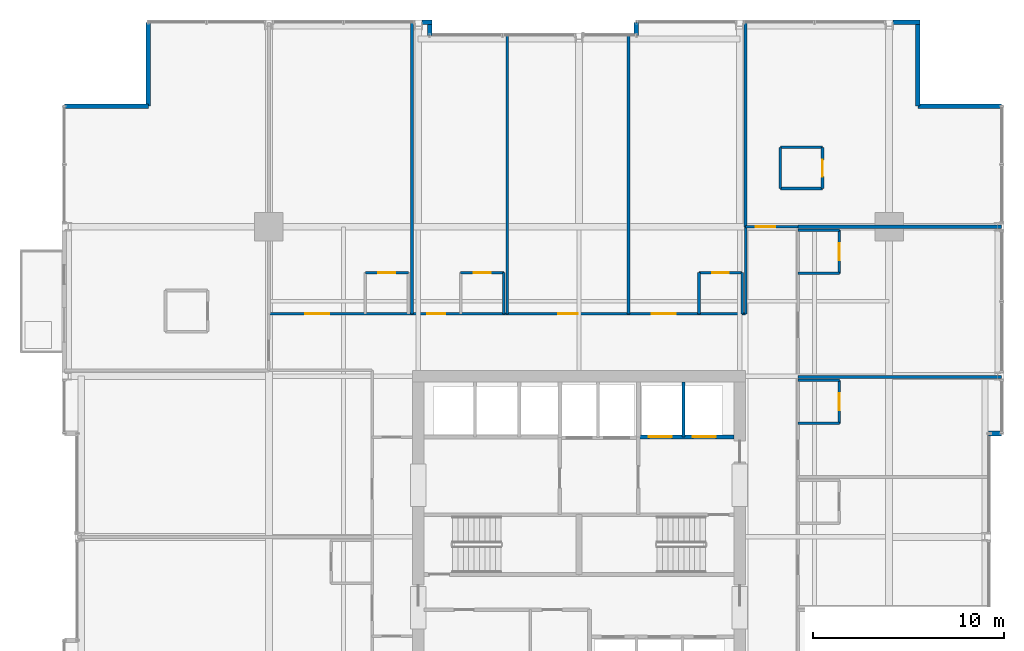
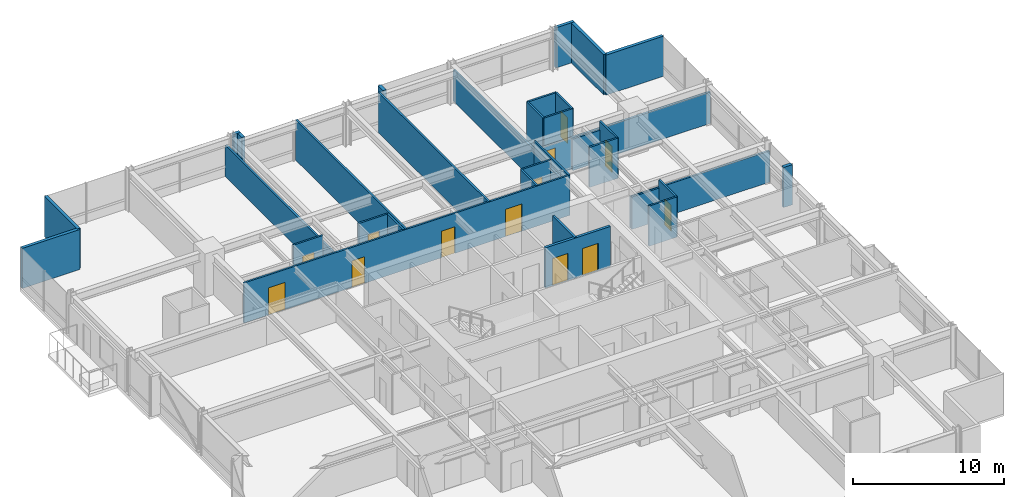
# One storey, part 31 of 35: 36 walls, 13 doors, 13 openings.
"""IFC4 building model written with IfcOpenShell, lengths in metres."""

import ifcopenshell
import ifcopenshell.guid

model = None  # the IFC model being written
_history = None  # IfcOwnerHistory: only IFC2X3 demands one
_inside = {}  # id of a spatial element -> (the spatial element, [elements in it])
_under = {}  # id of a project, library or spatial element -> (it, [spatial elements below it])
_declared = {}  # id of a project -> (the project, [libraries it declares])
_typed = {}  # id of a type object -> (the type object, [elements of that type])
_made_of = {}  # id of a material, layer set ... -> (it, [elements and type objects made of it])


def new_model(schema):
    """Start an empty IFC model of exactly this schema.

    Asked for "IFC4X3", IfcOpenShell would pick the latest addendum, in which some entities
    have other attributes; the version numbers below select the first issue.
    IFC2X3 requires an IfcOwnerHistory on every rooted entity: one is made here for all.
    """
    global model, _history
    if schema == "IFC4X3":
        model = ifcopenshell.file(schema_version=(4, 3, 0, 0))
    else:
        model = ifcopenshell.file(schema=schema)
    _inside.clear()
    _under.clear()
    _declared.clear()
    _typed.clear()
    _made_of.clear()
    _history = None
    if model.schema == "IFC2X3":
        org = make("IfcOrganization", Name="unknown")
        user = make(
            "IfcPersonAndOrganization",
            ThePerson=make("IfcPerson", FamilyName="unknown"),
            TheOrganization=org,
        )
        app = make(
            "IfcApplication",
            ApplicationDeveloper=org,
            Version="unknown",
            ApplicationFullName="unknown",
            ApplicationIdentifier="unknown",
        )
        _history = make(
            "IfcOwnerHistory",
            OwningUser=user,
            OwningApplication=app,
            ChangeAction="ADDED",
            CreationDate=0,
        )
    return model


def make(cls, **values):
    """One entity of the class cls with the attributes given. An attribute that is None is left unset."""
    return model.create_entity(
        cls, **{name: value for name, value in values.items() if value is not None}
    )


def rooted(cls, **values):
    """An entity with a GlobalId (a new one), such as an element, a storey or a relation."""
    return make(cls, GlobalId=ifcopenshell.guid.new(), OwnerHistory=_history, **values)


def si_unit(unit_type, name, prefix=None):
    """IfcSIUnit, for example si_unit("LENGTHUNIT", "METRE", prefix="MILLI")."""
    return make("IfcSIUnit", UnitType=unit_type, Prefix=prefix, Name=name)


def assignment(units):
    """IfcUnitAssignment: the units of a project."""
    return None if units is None else make("IfcUnitAssignment", Units=units)


def point(xyz):
    """IfcCartesianPoint."""
    return None if xyz is None else make("IfcCartesianPoint", Coordinates=xyz)


def direction(xyz):
    """IfcDirection."""
    return None if xyz is None else make("IfcDirection", DirectionRatios=xyz)


def frame(location, z_axis=None, x_axis=None):
    """IfcAxis2Placement3D, a coordinate frame: its origin and axes. An axis left out is left unset."""
    return make(
        "IfcAxis2Placement3D",
        Location=point(location),
        Axis=direction(z_axis),
        RefDirection=direction(x_axis),
    )


def frame_2d(location, x_axis=None):
    """IfcAxis2Placement2D, a coordinate frame in the plane: its origin and x axis."""
    return make(
        "IfcAxis2Placement2D", Location=point(location), RefDirection=direction(x_axis)
    )


def origin():
    """The frame at (0, 0, 0) with its axes left unset."""
    return frame((0.0, 0.0, 0.0))


def place(relative_to, where):
    """IfcLocalPlacement: puts the frame where relative to a parent placement (None: the world)."""
    return make(
        "IfcLocalPlacement", PlacementRelTo=relative_to, RelativePlacement=where
    )


def context(
    kind, dimensions, precision=None, world=None, true_north=None, identifier=None
):
    """IfcGeometricRepresentationContext, for example the 3D "Model" context."""
    return make(
        "IfcGeometricRepresentationContext",
        ContextIdentifier=identifier,
        ContextType=kind,
        CoordinateSpaceDimension=dimensions,
        Precision=precision,
        WorldCoordinateSystem=world,
        TrueNorth=true_north,
    )


def subcontext(parent, identifier, kind, view, scale=None):
    """IfcGeometricRepresentationSubContext, for example "Body" below "Model"."""
    return make(
        "IfcGeometricRepresentationSubContext",
        ContextIdentifier=identifier,
        ContextType=kind,
        ParentContext=parent,
        TargetScale=scale,
        TargetView=view,
    )


def project(units=None, contexts=None):
    """IfcProject with its units and contexts."""
    return rooted(
        "IfcProject",
        Name="project",
        RepresentationContexts=contexts,
        UnitsInContext=assignment(units),
    )


def spatial(cls, under=None, at=None, **own):
    """A site, building, storey or space (cls), placed at a placement, below another one or the project."""
    s = rooted(cls, ObjectPlacement=at, **own)
    if under is not None:
        _under.setdefault(under.id(), (under, []))[1].append(s)
    return s


def profile(cls, at=None, kind="AREA", **sizes):
    """A parametric profile (cls). Its sizes go by their IFC names, for example OverallWidth=200.0."""
    return make(cls, ProfileType=kind, Position=at, **sizes)


def rectangle(**sizes):
    """IfcRectangleProfileDef."""
    return profile("IfcRectangleProfileDef", **sizes)


def extrude(swept, where, along, depth):
    """IfcExtrudedAreaSolid: the profile swept, set in the frame where, extruded along a direction by depth."""
    return make(
        "IfcExtrudedAreaSolid",
        SweptArea=swept,
        Position=where,
        ExtrudedDirection=direction(along),
        Depth=depth,
    )


def shape(context_of_items, identifier, shape_type, items):
    """IfcShapeRepresentation: the items that make up one representation, for example the "Body"."""
    return make(
        "IfcShapeRepresentation",
        ContextOfItems=context_of_items,
        RepresentationIdentifier=identifier,
        RepresentationType=shape_type,
        Items=items,
    )


def material(Name=None, Category=None):
    """IfcMaterial."""
    return make("IfcMaterial", Name=Name, Category=Category)


def layer(
    of_material, thickness, ventilated=None, Name=None, Category=None, Priority=None
):
    """IfcMaterialLayer: one layer of a wall or slab, of a material (None: an air gap)."""
    return make(
        "IfcMaterialLayer",
        Material=of_material,
        LayerThickness=thickness,
        IsVentilated=ventilated,
        Name=Name,
        Category=Category,
        Priority=Priority,
    )


def layer_set(layers, Name=None):
    """IfcMaterialLayerSet."""
    return make("IfcMaterialLayerSet", MaterialLayers=layers, LayerSetName=Name)


def made_of(thing, what):
    """Note that an element or type object is made of a material, layer set ...; save() writes the relation."""
    if what is not None:
        _made_of.setdefault(what.id(), (what, []))[1].append(thing)
    return thing


def type_object(cls, material=None, **own):
    """A type object (cls), such as IfcWallType, which elements share."""
    return made_of(rooted(cls, **own), material)


def element(
    cls,
    number,
    at=None,
    inside=None,
    cuts=None,
    type_object=None,
    material=None,
    context=None,
    identifier="Body",
    shape_type=None,
    held_by="IfcProductDefinitionShape",
    body=None,
    shapes=None,
    **own,
):
    """One element of the class cls, such as IfcWall. Its Tag is "e" and its number.

    at: its placement. inside: the storey or other place that contains it. cuts: it is an
    opening in that element (IfcRelVoidsElement). A single representation is given by context,
    identifier, shape_type and body (its items); several are given by shapes. held_by: the class
    of the entity that holds the representations. save() writes the other relations.
    """
    e = rooted(cls, Tag="e%d" % number, ObjectPlacement=at, **own)
    if body is not None:
        shapes = [shape(context, identifier, shape_type, body)]
    if shapes is not None:
        e.Representation = make(held_by, Representations=shapes)
    if inside is not None:
        _inside.setdefault(inside.id(), (inside, []))[1].append(e)
    if cuts is not None:
        rooted(
            "IfcRelVoidsElement", RelatingBuildingElement=cuts, RelatedOpeningElement=e
        )
    if type_object is not None:
        _typed.setdefault(type_object.id(), (type_object, []))[1].append(e)
    return made_of(e, material)


def fill(opening, filler):
    """IfcRelFillsElement: the door or window that sits in an opening."""
    return rooted(
        "IfcRelFillsElement",
        RelatingOpeningElement=opening,
        RelatedBuildingElement=filler,
    )


def aggregate(whole, parts):
    """IfcRelAggregates: a whole, such as a stair, and the parts it consists of."""
    return rooted("IfcRelAggregates", RelatingObject=whole, RelatedObjects=parts)


def save(model, path):
    """Write the relations noted so far, then the file.

    IfcRelAggregates (storeys below a building ...), IfcRelContainedInSpatialStructure (elements
    in a storey), IfcRelDefinesByType, IfcRelAssociatesMaterial and IfcRelDeclares: one each for
    every whole, place, type object, material and project.
    """
    for whole, parts in _under.values():
        aggregate(whole, parts)
    for where, things in _inside.values():
        rooted(
            "IfcRelContainedInSpatialStructure",
            RelatedElements=things,
            RelatingStructure=where,
        )
    for kind, things in _typed.values():
        rooted("IfcRelDefinesByType", RelatedObjects=things, RelatingType=kind)
    for what, things in _made_of.values():
        rooted("IfcRelAssociatesMaterial", RelatedObjects=things, RelatingMaterial=what)
    for by, libraries in _declared.values():
        rooted("IfcRelDeclares", RelatingContext=by, RelatedDefinitions=libraries)
    model.write(path)


model = new_model("IFC4")

# Units and contexts
model_context = context("Model", 3, precision=1e-05, world=origin(), true_north=direction((0.0, 1.0)))
body_context = subcontext(model_context, "Body", "Model", "MODEL_VIEW")
ifc_project = project(units=[si_unit("LENGTHUNIT", "METRE"), si_unit("AREAUNIT", "SQUARE_METRE"), si_unit("VOLUMEUNIT", "CUBIC_METRE"), si_unit("PLANEANGLEUNIT", "RADIAN"), si_unit("MASSUNIT", "GRAM", prefix="KILO")], contexts=[model_context])

# Site, building, storey
site_placement = place(None, origin())
site = spatial("IfcSite", under=ifc_project, at=site_placement, CompositionType="ELEMENT")
building_placement = place(site_placement, origin())
building = spatial("IfcBuilding", under=site, at=building_placement, Name="Drelvath Grand Hotel", CompositionType="ELEMENT")
storey_placement = place(building_placement, frame((0.0, 0.0, 130.300048828125)))
storey = spatial("IfcBuildingStorey", under=building, at=storey_placement, Name="L33", CompositionType="ELEMENT", Elevation=130.300048828125)

# Wall, openings, doors
ifc_material_1 = material(Name="Concrete C40/50", Category="concrete")
ifc_layer_1 = layer(ifc_material_1, 0.199951171875)
ifc_layer_set_1 = layer_set([ifc_layer_1], Name="Concrete C40/50")
wall_type_1 = type_object("IfcWallType", Name="Core Hoistway Fire Wall 200", PredefinedType="SOLIDWALL", material=ifc_layer_set_1)
wall_1_placement = place(storey_placement, frame((3.10009765625, 32.219970703125, 0.0), z_axis=(0.0, 0.0, 1.0), x_axis=(1.0, 0.0, 0.0)))
wall_1 = element("IfcWall", 1, at=wall_1_placement, inside=storey, type_object=wall_type_1, Name="L33 FSAE Hoistway Front Wall", PredefinedType="SOLIDWALL", context=body_context, shape_type="SweptSolid", body=[
    extrude(rectangle(XDim=5.0, YDim=0.199951171875, at=frame_2d((2.5, 0.0))), origin(), (0.0, 0.0, 1.0), 3.239990234375),
])
opening_1_placement = place(wall_1_placement, frame((0.550048828125, 0.0, 0.0)))
opening_1 = element("IfcOpeningElement", 2, at=opening_1_placement, cuts=wall_1, Name="Opening LD-FSAE-1", PredefinedType="OPENING", context=body_context, shape_type="SweptSolid", body=[
    extrude(rectangle(XDim=1.199951171875, YDim=2.199951171875, at=frame_2d((0.60009765625, 1.10009765625))), frame((0.0, 0.10986328125, 0.0), z_axis=(0.0, -1.0, 0.0), x_axis=(1.0, 0.0, 0.0)), (0.0, 0.0, 1.0), 0.219970703125),
])
opening_2_placement = place(wall_1_placement, frame((2.85009765625, 0.0, 0.0)))
opening_2 = element("IfcOpeningElement", 3, at=opening_2_placement, cuts=wall_1, Name="Opening LD-FSAE-2", PredefinedType="OPENING", context=body_context, shape_type="SweptSolid", body=[
    extrude(rectangle(XDim=1.199951171875, YDim=2.199951171875, at=frame_2d((0.60009765625, 1.10009765625))), frame((0.0, 0.10986328125, 0.0), z_axis=(0.0, -1.0, 0.0), x_axis=(1.0, 0.0, 0.0)), (0.0, 0.0, 1.0), 0.219970703125),
])
ifc_material_2 = material(Name="Stainless Steel S355", Category="steel")
door_type_1 = type_object("IfcDoorType", Name="FSAE Lift Sliding Landing Door 1200x2200", OperationType="NOTDEFINED", PredefinedType="DOOR", material=ifc_material_2)
door_1_placement = place(opening_1_placement, origin())
door_1 = element("IfcDoor", 4, at=door_1_placement, inside=storey, type_object=door_type_1, Name="L33 Lift FSAE-1 Landing Door", OperationType="SLIDING_TO_LEFT", OverallHeight=2.199951171875, OverallWidth=1.199951171875, PredefinedType="DOOR", context=body_context, shape_type="SweptSolid", body=[
    extrude(rectangle(XDim=1.199951171875, YDim=2.199951171875, at=frame_2d((0.60009765625, 1.10009765625))), frame((0.0, 0.02490234375, 0.0), z_axis=(0.0, -1.0, 0.0), x_axis=(1.0, 0.0, 0.0)), (0.0, 0.0, 1.0), 0.050048828125),
])
fill(opening_1, door_1)
door_2_placement = place(opening_2_placement, origin())
door_2 = element("IfcDoor", 5, at=door_2_placement, inside=storey, type_object=door_type_1, Name="L33 Lift FSAE-2 Landing Door", OperationType="SLIDING_TO_LEFT", OverallHeight=2.199951171875, OverallWidth=1.199951171875, PredefinedType="DOOR", context=body_context, shape_type="SweptSolid", body=[
    extrude(rectangle(XDim=1.199951171875, YDim=2.199951171875, at=frame_2d((0.60009765625, 1.10009765625))), frame((0.0, 0.02490234375, 0.0), z_axis=(0.0, -1.0, 0.0), x_axis=(1.0, 0.0, 0.0)), (0.0, 0.0, 1.0), 0.050048828125),
])
fill(opening_2, door_2)

# Walls
ifc_material_3 = material(Name="Gypsum Fireboard Partition")
ifc_layer_2 = layer(ifc_material_3, 0.1650390625)
ifc_layer_set_2 = layer_set([ifc_layer_2], Name="Gypsum Fireboard Partition")
wall_type_2 = type_object("IfcWallType", Name="Core Shaft Partition 165", PredefinedType="PARTITIONING", material=ifc_layer_set_2)
wall_2_placement = place(storey_placement, frame((5.449951171875, 32.219970703125, 0.0), z_axis=(0.0, 0.0, 1.0), x_axis=(0.0, 1.0, 0.0)))
element("IfcWall", 6, at=wall_2_placement, inside=storey, type_object=wall_type_2, Name="L33 FSAE Hoistway Divider", PredefinedType="PARTITIONING", context=body_context, shape_type="SweptSolid", body=[
    extrude(rectangle(XDim=2.880126953125, YDim=0.1650390625, at=frame_2d((1.43994140625, 0.0))), origin(), (0.0, 0.0, 1.0), 3.239990234375),
])
ifc_layer_3 = layer(ifc_material_3, 0.135009765625)
ifc_layer_set_3 = layer_set([ifc_layer_3], Name="Gypsum Fireboard Partition")
wall_type_3 = type_object("IfcWallType", Name="Corridor Fire Barrier Wall 135", PredefinedType="PARTITIONING", material=ifc_layer_set_3)
wall_3_placement = place(storey_placement, frame((8.699951171875, 38.64990234375, 0.0), z_axis=(0.0, 0.0, 1.0), x_axis=(0.0, 1.0, 0.0)))
element("IfcWall", 7, at=wall_3_placement, inside=storey, type_object=wall_type_3, Name="L33 East Spine North Inner Wall", PredefinedType="PARTITIONING", context=body_context, shape_type="SweptSolid", body=[
    extrude(rectangle(XDim=4.550048828125, YDim=0.135009765625, at=frame_2d((2.27490234375, 0.0))), origin(), (0.0, 0.0, 1.0), 3.239990234375),
])

# Wall, openings, doors
wall_4_placement = place(storey_placement, frame((-16.199951171875, 38.64990234375, 0.0), z_axis=(0.0, 0.0, 1.0), x_axis=(1.0, 0.0, 0.0)))
wall_4 = element("IfcWall", 8, at=wall_4_placement, inside=storey, type_object=wall_type_3, Name="L33 North Stub Corridor Wall", PredefinedType="PARTITIONING", context=body_context, shape_type="SweptSolid", body=[
    extrude(rectangle(XDim=24.89990234375, YDim=0.135009765625, at=frame_2d((12.449951171875, 0.0))), origin(), (0.0, 0.0, 1.0), 3.239990234375),
])
opening_3_placement = place(wall_4_placement, frame((1.889892578125, 0.0, 0.0)))
opening_3 = element("IfcOpeningElement", 9, at=opening_3_placement, cuts=wall_4, Name="Opening D-T2G4-034", PredefinedType="OPENING", context=body_context, shape_type="SweptSolid", body=[
    extrude(rectangle(XDim=1.260009765625, YDim=2.199951171875, at=frame_2d((0.6298828125, 1.10009765625))), frame((0.0, 0.077392578125, 0.0), z_axis=(0.0, -1.0, 0.0), x_axis=(1.0, 0.0, 0.0)), (0.0, 0.0, 1.0), 0.155029296875),
])
opening_4_placement = place(wall_4_placement, frame((8.264892578125, 0.0, 0.0)))
opening_4 = element("IfcOpeningElement", 10, at=opening_4_placement, cuts=wall_4, Name="Opening D-T2G4-036", PredefinedType="OPENING", context=body_context, shape_type="SweptSolid", body=[
    extrude(rectangle(XDim=0.9599609375, YDim=2.14990234375, at=frame_2d((0.47998046875, 1.074951171875))), frame((0.0, 0.077392578125, 0.0), z_axis=(0.0, -1.0, 0.0), x_axis=(1.0, 0.0, 0.0)), (0.0, 0.0, 1.0), 0.155029296875),
])
opening_5_placement = place(wall_4_placement, frame((15.10498046875, 0.0, 0.0)))
opening_5 = element("IfcOpeningElement", 11, at=opening_5_placement, cuts=wall_4, Name="Opening D-T2G4-037", PredefinedType="OPENING", context=body_context, shape_type="SweptSolid", body=[
    extrude(rectangle(XDim=1.02001953125, YDim=2.14990234375, at=frame_2d((0.510009765625, 1.074951171875))), frame((0.0, 0.077392578125, 0.0), z_axis=(0.0, -1.0, 0.0), x_axis=(1.0, 0.0, 0.0)), (0.0, 0.0, 1.0), 0.155029296875),
])
opening_6_placement = place(wall_4_placement, frame((19.9951171875, 0.0, 0.0)))
opening_6 = element("IfcOpeningElement", 12, at=opening_6_placement, cuts=wall_4, Name="Opening D-T2G4-039", PredefinedType="OPENING", context=body_context, shape_type="SweptSolid", body=[
    extrude(rectangle(XDim=1.260009765625, YDim=2.199951171875, at=frame_2d((0.6298828125, 1.10009765625))), frame((0.0, 0.077392578125, 0.0), z_axis=(0.0, -1.0, 0.0), x_axis=(1.0, 0.0, 0.0)), (0.0, 0.0, 1.0), 0.155029296875),
])
ifc_material_4 = material(Name="Hardwood Walnut Timber", Category="wood")
door_type_2 = type_object("IfcDoorType", Name="Amenity Meeting Fire Door 1020x2150", OperationType="NOTDEFINED", PredefinedType="DOOR", material=ifc_material_4)
door_3_placement = place(opening_5_placement, origin())
door_3 = element("IfcDoor", 13, at=door_3_placement, inside=storey, type_object=door_type_2, Name="L33 Private Dining Salon Entry Door", OperationType="SINGLE_SWING_RIGHT", OverallHeight=2.14990234375, OverallWidth=1.02001953125, PredefinedType="DOOR", context=body_context, shape_type="SweptSolid", body=[
    extrude(rectangle(XDim=1.02001953125, YDim=2.14990234375, at=frame_2d((0.510009765625, 1.074951171875))), frame((0.0, 0.02490234375, 0.0), z_axis=(0.0, -1.0, 0.0), x_axis=(1.0, 0.0, 0.0)), (0.0, 0.0, 1.0), 0.050048828125),
])
fill(opening_5, door_3)
door_type_3 = type_object("IfcDoorType", Name="Guestroom Entrance Fire Door 960x2150", OperationType="NOTDEFINED", PredefinedType="DOOR", material=ifc_material_4)
door_4_placement = place(opening_4_placement, origin())
door_4 = element("IfcDoor", 14, at=door_4_placement, inside=storey, type_object=door_type_3, Name="L33 King Guest Room Entry Door", OperationType="SINGLE_SWING_LEFT", OverallHeight=2.14990234375, OverallWidth=0.9599609375, PredefinedType="DOOR", context=body_context, shape_type="SweptSolid", body=[
    extrude(rectangle(XDim=0.9599609375, YDim=2.14990234375, at=frame_2d((0.47998046875, 1.074951171875))), frame((0.0, 0.02490234375, 0.0), z_axis=(0.0, -1.0, 0.0), x_axis=(1.0, 0.0, 0.0)), (0.0, 0.0, 1.0), 0.050048828125),
])
fill(opening_4, door_4)
door_type_4 = type_object("IfcDoorType", Name="Suite Entrance Fire Door 1260x2200", OperationType="NOTDEFINED", PredefinedType="DOOR", material=ifc_material_4)
door_5_placement = place(opening_3_placement, origin())
door_5 = element("IfcDoor", 15, at=door_5_placement, inside=storey, type_object=door_type_4, Name="L33 Corner Suite Entry Door", OperationType="SINGLE_SWING_LEFT", OverallHeight=2.199951171875, OverallWidth=1.260009765625, PredefinedType="DOOR", context=body_context, shape_type="SweptSolid", body=[
    extrude(rectangle(XDim=1.260009765625, YDim=2.199951171875, at=frame_2d((0.6298828125, 1.10009765625))), frame((0.0, 0.02490234375, 0.0), z_axis=(0.0, -1.0, 0.0), x_axis=(1.0, 0.0, 0.0)), (0.0, 0.0, 1.0), 0.050048828125),
])
fill(opening_3, door_5)
door_6_placement = place(opening_6_placement, origin())
door_6 = element("IfcDoor", 16, at=door_6_placement, inside=storey, type_object=door_type_4, Name="L33 Corner Suite Entry Door", OperationType="SINGLE_SWING_RIGHT", OverallHeight=2.199951171875, OverallWidth=1.260009765625, PredefinedType="DOOR", context=body_context, shape_type="SweptSolid", body=[
    extrude(rectangle(XDim=1.260009765625, YDim=2.199951171875, at=frame_2d((0.6298828125, 1.10009765625))), frame((0.0, 0.02490234375, 0.0), z_axis=(0.0, -1.0, 0.0), x_axis=(1.0, 0.0, 0.0)), (0.0, 0.0, 1.0), 0.050048828125),
])
fill(opening_6, door_6)

# Wall, opening, door
wall_5_placement = place(storey_placement, frame((8.699951171875, 43.199951171875, 0.0), z_axis=(0.0, 0.0, 1.0), x_axis=(1.0, 0.0, 0.0)))
wall_5 = element("IfcWall", 17, at=wall_5_placement, inside=storey, type_object=wall_type_3, Name="L33 East Spine North End", PredefinedType="PARTITIONING", context=body_context, shape_type="SweptSolid", body=[
    extrude(rectangle(XDim=2.75, YDim=0.135009765625, at=frame_2d((1.375, 0.0))), origin(), (0.0, 0.0, 1.0), 2.529541015625),
])
opening_7_placement = place(wall_5_placement, frame((0.52001953125, 0.0, 0.0)))
opening_7 = element("IfcOpeningElement", 18, at=opening_7_placement, cuts=wall_5, Name="Opening D-T2G4-026", PredefinedType="OPENING", context=body_context, shape_type="SweptSolid", body=[
    extrude(rectangle(XDim=1.02001953125, YDim=2.14990234375, at=frame_2d((0.510009765625, 1.074951171875))), frame((0.0, 0.077392578125, 0.0), z_axis=(0.0, -1.0, 0.0), x_axis=(1.0, 0.0, 0.0)), (0.0, 0.0, 1.0), 0.155029296875),
])
door_7_placement = place(opening_7_placement, origin())
door_7 = element("IfcDoor", 19, at=door_7_placement, inside=storey, type_object=door_type_2, Name="L33 Corner Suite Entry Door", OperationType="SINGLE_SWING_LEFT", OverallHeight=2.14990234375, OverallWidth=1.02001953125, PredefinedType="DOOR", context=body_context, shape_type="SweptSolid", body=[
    extrude(rectangle(XDim=1.02001953125, YDim=2.14990234375, at=frame_2d((0.510009765625, 1.074951171875))), frame((0.0, 0.02490234375, 0.0), z_axis=(0.0, -1.0, 0.0), x_axis=(1.0, 0.0, 0.0)), (0.0, 0.0, 1.0), 0.050048828125),
])
fill(opening_7, door_7)

# Walls
ifc_material_5 = material(Name="Moisture-Resistant Gypsum Board")
ifc_layer_4 = layer(ifc_material_5, 0.139892578125)
ifc_layer_set_4 = layer_set([ifc_layer_4], Name="Moisture-Resistant Gypsum Board")
wall_type_4 = type_object("IfcWallType", Name="En-Suite Plumbing Wall 140", PredefinedType="PLUMBINGWALL", material=ifc_layer_set_4)
for number, where, z_axis, x_axis, name in (
    (20, (10.52001953125, 45.199951171875, 0.0), (0.0, 0.0, 1.0), (1.0, 0.0, 0.0), "L33 Corner En-Suite South"),
    (21, (10.52001953125, 47.35009765625, 0.0), (0.0, 0.0, 1.0), (1.0, 0.0, 0.0), "L33 Corner En-Suite North"),
):
    element("IfcWall", number, at=place(storey_placement, frame(where, z_axis=z_axis, x_axis=x_axis)), inside=storey, type_object=wall_type_4, Name=name, PredefinedType="PLUMBINGWALL", context=body_context, shape_type="SweptSolid", body=[
        extrude(rectangle(XDim=2.199951171875, YDim=0.139892578125, at=frame_2d((1.10009765625, 0.0))), origin(), (0.0, 0.0, 1.0), 3.239990234375),
    ])
wall_6_placement = place(storey_placement, frame((10.52001953125, 45.199951171875, 0.0), z_axis=(0.0, 0.0, 1.0), x_axis=(0.0, 1.0, 0.0)))
element("IfcWall", 22, at=wall_6_placement, inside=storey, type_object=wall_type_4, Name="L33 Corner En-Suite West", PredefinedType="PLUMBINGWALL", context=body_context, shape_type="SweptSolid", body=[
    extrude(rectangle(XDim=2.150146484375, YDim=0.139892578125, at=frame_2d((1.0751953125, 0.0))), origin(), (0.0, 0.0, 1.0), 3.239990234375),
])

# Wall, opening, door
wall_7_placement = place(storey_placement, frame((12.719970703125, 45.199951171875, 0.0), z_axis=(0.0, 0.0, 1.0), x_axis=(0.0, 1.0, 0.0)))
wall_7 = element("IfcWall", 23, at=wall_7_placement, inside=storey, type_object=wall_type_4, Name="L33 Corner En-Suite East", PredefinedType="PLUMBINGWALL", context=body_context, shape_type="SweptSolid", body=[
    extrude(rectangle(XDim=2.150146484375, YDim=0.139892578125, at=frame_2d((1.0751953125, 0.0))), origin(), (0.0, 0.0, 1.0), 3.239990234375),
])
opening_8_placement = place(wall_7_placement, frame((0.6201171875, 0.0, 0.0)))
opening_8 = element("IfcOpeningElement", 24, at=opening_8_placement, cuts=wall_7, Name="Opening D-T2G4-025", PredefinedType="OPENING", context=body_context, shape_type="SweptSolid", body=[
    extrude(rectangle(XDim=0.8798828125, YDim=2.10009765625, at=frame_2d((0.43994140625, 1.050048828125))), frame((0.0, 0.079833984375, 0.0), z_axis=(0.0, -1.0, 0.0), x_axis=(1.0, 0.0, 0.0)), (0.0, 0.0, 1.0), 0.159912109375),
])
door_type_5 = type_object("IfcDoorType", Name="En-Suite Bathroom Door 880x2100", OperationType="NOTDEFINED", PredefinedType="DOOR", material=ifc_material_4)
door_8_placement = place(opening_8_placement, origin())
door_8 = element("IfcDoor", 25, at=door_8_placement, inside=storey, type_object=door_type_5, Name="L33 Corner En-Suite Door", OperationType="SINGLE_SWING_RIGHT", OverallHeight=2.10009765625, OverallWidth=0.8798828125, PredefinedType="DOOR", context=body_context, shape_type="SweptSolid", body=[
    extrude(rectangle(XDim=0.8798828125, YDim=2.10009765625, at=frame_2d((0.43994140625, 1.050048828125))), frame((0.0, 0.02490234375, 0.0), z_axis=(0.0, -1.0, 0.0), x_axis=(1.0, 0.0, 0.0)), (0.0, 0.0, 1.0), 0.050048828125),
])
fill(opening_8, door_8)

wall_8_placement = place(storey_placement, frame((-11.159912109375, 40.800048828125, 0.0), z_axis=(0.0, 0.0, 1.0), x_axis=(1.0, 0.0, 0.0)))
wall_8 = element("IfcWall", 26, at=wall_8_placement, inside=storey, type_object=wall_type_4, Name="L33 En-Suite Front Wall", PredefinedType="PLUMBINGWALL", context=body_context, shape_type="SweptSolid", body=[
    extrude(rectangle(XDim=2.25, YDim=0.139892578125, at=frame_2d((1.125, 0.0))), origin(), (0.0, 0.0, 1.0), 3.239990234375),
])
opening_9_placement = place(wall_8_placement, frame((0.68505859375, 0.0, 0.0)))
opening_9 = element("IfcOpeningElement", 27, at=opening_9_placement, cuts=wall_8, Name="Opening D-T2G4-033", PredefinedType="OPENING", context=body_context, shape_type="SweptSolid", body=[
    extrude(rectangle(XDim=0.8798828125, YDim=2.10009765625, at=frame_2d((0.43994140625, 1.050048828125))), frame((0.0, 0.079833984375, 0.0), z_axis=(0.0, -1.0, 0.0), x_axis=(1.0, 0.0, 0.0)), (0.0, 0.0, 1.0), 0.159912109375),
])
door_9_placement = place(opening_9_placement, origin())
door_9 = element("IfcDoor", 28, at=door_9_placement, inside=storey, type_object=door_type_5, Name="L33 En-Suite Bathroom Door", OperationType="SINGLE_SWING_RIGHT", OverallHeight=2.10009765625, OverallWidth=0.8798828125, PredefinedType="DOOR", context=body_context, shape_type="SweptSolid", body=[
    extrude(rectangle(XDim=0.8798828125, YDim=2.10009765625, at=frame_2d((0.43994140625, 1.050048828125))), frame((0.0, 0.02490234375, 0.0), z_axis=(0.0, -1.0, 0.0), x_axis=(1.0, 0.0, 0.0)), (0.0, 0.0, 1.0), 0.050048828125),
])
fill(opening_9, door_9)

# Wall
wall_9_placement = place(storey_placement, frame((-3.929931640625, 38.64990234375, 0.0), z_axis=(0.0, 0.0, 1.0), x_axis=(0.0, 1.0, 0.0)))
element("IfcWall", 29, at=wall_9_placement, inside=storey, type_object=wall_type_4, Name="L33 En-Suite Right Wall", PredefinedType="PLUMBINGWALL", context=body_context, shape_type="SweptSolid", body=[
    extrude(rectangle(XDim=2.150146484375, YDim=0.139892578125, at=frame_2d((1.0751953125, 0.0))), origin(), (0.0, 0.0, 1.0), 3.239990234375),
])

# Wall, opening, door
wall_10_placement = place(storey_placement, frame((-6.179931640625, 40.800048828125, 0.0), z_axis=(0.0, 0.0, 1.0), x_axis=(1.0, 0.0, 0.0)))
wall_10 = element("IfcWall", 30, at=wall_10_placement, inside=storey, type_object=wall_type_4, Name="L33 En-Suite Front Wall", PredefinedType="PLUMBINGWALL", context=body_context, shape_type="SweptSolid", body=[
    extrude(rectangle(XDim=2.25, YDim=0.139892578125, at=frame_2d((1.125, 0.0))), origin(), (0.0, 0.0, 1.0), 3.239990234375),
])
opening_10_placement = place(wall_10_placement, frame((0.68505859375, 0.0, 0.0)))
opening_10 = element("IfcOpeningElement", 31, at=opening_10_placement, cuts=wall_10, Name="Opening D-T2G4-035", PredefinedType="OPENING", context=body_context, shape_type="SweptSolid", body=[
    extrude(rectangle(XDim=0.8798828125, YDim=2.10009765625, at=frame_2d((0.43994140625, 1.050048828125))), frame((0.0, 0.079833984375, 0.0), z_axis=(0.0, -1.0, 0.0), x_axis=(1.0, 0.0, 0.0)), (0.0, 0.0, 1.0), 0.159912109375),
])
door_10_placement = place(opening_10_placement, origin())
door_10 = element("IfcDoor", 32, at=door_10_placement, inside=storey, type_object=door_type_5, Name="L33 En-Suite Bathroom Door", OperationType="SINGLE_SWING_RIGHT", OverallHeight=2.10009765625, OverallWidth=0.8798828125, PredefinedType="DOOR", context=body_context, shape_type="SweptSolid", body=[
    extrude(rectangle(XDim=0.8798828125, YDim=2.10009765625, at=frame_2d((0.43994140625, 1.050048828125))), frame((0.0, 0.02490234375, 0.0), z_axis=(0.0, -1.0, 0.0), x_axis=(1.0, 0.0, 0.0)), (0.0, 0.0, 1.0), 0.050048828125),
])
fill(opening_10, door_10)

# Walls
wall_11_placement = place(storey_placement, frame((6.27001953125, 38.64990234375, 0.0), z_axis=(0.0, 0.0, 1.0), x_axis=(0.0, 1.0, 0.0)))
element("IfcWall", 33, at=wall_11_placement, inside=storey, type_object=wall_type_4, Name="L33 En-Suite Left Wall", PredefinedType="PLUMBINGWALL", context=body_context, shape_type="SweptSolid", body=[
    extrude(rectangle(XDim=2.150146484375, YDim=0.139892578125, at=frame_2d((1.0751953125, 0.0))), origin(), (0.0, 0.0, 1.0), 3.239990234375),
])
wall_12_placement = place(storey_placement, frame((8.52001953125, 38.64990234375, 0.0), z_axis=(0.0, 0.0, 1.0), x_axis=(0.0, 1.0, 0.0)))
element("IfcWall", 34, at=wall_12_placement, inside=storey, type_object=wall_type_4, Name="L33 En-Suite Right Wall", PredefinedType="PLUMBINGWALL", context=body_context, shape_type="SweptSolid", body=[
    extrude(rectangle(XDim=2.150146484375, YDim=0.139892578125, at=frame_2d((1.0751953125, 0.0))), origin(), (0.0, 0.0, 1.0), 2.617431640625),
])

# Wall, opening, door
wall_13_placement = place(storey_placement, frame((6.27001953125, 40.800048828125, 0.0), z_axis=(0.0, 0.0, 1.0), x_axis=(1.0, 0.0, 0.0)))
wall_13 = element("IfcWall", 35, at=wall_13_placement, inside=storey, type_object=wall_type_4, Name="L33 En-Suite Front Wall", PredefinedType="PLUMBINGWALL", context=body_context, shape_type="SweptSolid", body=[
    extrude(rectangle(XDim=2.25, YDim=0.139892578125, at=frame_2d((1.125, 0.0))), origin(), (0.0, 0.0, 1.0), 3.239990234375),
])
opening_11_placement = place(wall_13_placement, frame((0.68505859375, 0.0, 0.0)))
opening_11 = element("IfcOpeningElement", 36, at=opening_11_placement, cuts=wall_13, Name="Opening D-T2G4-038", PredefinedType="OPENING", context=body_context, shape_type="SweptSolid", body=[
    extrude(rectangle(XDim=0.8798828125, YDim=2.10009765625, at=frame_2d((0.43994140625, 1.050048828125))), frame((0.0, 0.079833984375, 0.0), z_axis=(0.0, -1.0, 0.0), x_axis=(1.0, 0.0, 0.0)), (0.0, 0.0, 1.0), 0.159912109375),
])
door_11_placement = place(opening_11_placement, origin())
door_11 = element("IfcDoor", 37, at=door_11_placement, inside=storey, type_object=door_type_5, Name="L33 En-Suite Bathroom Door", OperationType="SINGLE_SWING_LEFT", OverallHeight=2.10009765625, OverallWidth=0.8798828125, PredefinedType="DOOR", context=body_context, shape_type="SweptSolid", body=[
    extrude(rectangle(XDim=0.8798828125, YDim=2.10009765625, at=frame_2d((0.43994140625, 1.050048828125))), frame((0.0, 0.02490234375, 0.0), z_axis=(0.0, -1.0, 0.0), x_axis=(1.0, 0.0, 0.0)), (0.0, 0.0, 1.0), 0.050048828125),
])
fill(opening_11, door_11)

# Walls
wall_14_placement = place(storey_placement, frame((11.449951171875, 32.931396484375, 0.0), z_axis=(0.0, 0.0, 1.0), x_axis=(1.0, 0.0, 0.0)))
element("IfcWall", 38, at=wall_14_placement, inside=storey, type_object=wall_type_4, Name="L33 En-Suite Left Wall", PredefinedType="PLUMBINGWALL", context=body_context, shape_type="SweptSolid", body=[
    extrude(rectangle(XDim=2.150146484375, YDim=0.139892578125, at=frame_2d((1.0751953125, 0.0))), origin(), (0.0, 0.0, 1.0), 3.239990234375),
])
wall_15_placement = place(storey_placement, frame((11.449951171875, 35.181396484375, 0.0), z_axis=(0.0, 0.0, 1.0), x_axis=(1.0, 0.0, 0.0)))
element("IfcWall", 39, at=wall_15_placement, inside=storey, type_object=wall_type_4, Name="L33 En-Suite Right Wall", PredefinedType="PLUMBINGWALL", context=body_context, shape_type="SweptSolid", body=[
    extrude(rectangle(XDim=2.150146484375, YDim=0.139892578125, at=frame_2d((1.0751953125, 0.0))), origin(), (0.0, 0.0, 1.0), 2.617431640625),
])

# Wall, opening, door
wall_16_placement = place(storey_placement, frame((13.60009765625, 32.931396484375, 0.0), z_axis=(0.0, 0.0, 1.0), x_axis=(0.0, 1.0, 0.0)))
wall_16 = element("IfcWall", 40, at=wall_16_placement, inside=storey, type_object=wall_type_4, Name="L33 En-Suite Front Wall", PredefinedType="PLUMBINGWALL", context=body_context, shape_type="SweptSolid", body=[
    extrude(rectangle(XDim=2.25, YDim=0.139892578125, at=frame_2d((1.125, 0.0))), origin(), (0.0, 0.0, 1.0), 3.239990234375),
])
opening_12_placement = place(wall_16_placement, frame((0.68505859375, 0.0, 0.0)))
opening_12 = element("IfcOpeningElement", 41, at=opening_12_placement, cuts=wall_16, Name="Opening D-T2G4-046", PredefinedType="OPENING", context=body_context, shape_type="SweptSolid", body=[
    extrude(rectangle(XDim=0.8798828125, YDim=2.10009765625, at=frame_2d((0.43994140625, 1.050048828125))), frame((0.0, 0.079833984375, 0.0), z_axis=(0.0, -1.0, 0.0), x_axis=(1.0, 0.0, 0.0)), (0.0, 0.0, 1.0), 0.159912109375),
])
door_12_placement = place(opening_12_placement, origin())
door_12 = element("IfcDoor", 42, at=door_12_placement, inside=storey, type_object=door_type_5, Name="L33 En-Suite Bathroom Door", OperationType="SINGLE_SWING_LEFT", OverallHeight=2.10009765625, OverallWidth=0.8798828125, PredefinedType="DOOR", context=body_context, shape_type="SweptSolid", body=[
    extrude(rectangle(XDim=0.8798828125, YDim=2.10009765625, at=frame_2d((0.43994140625, 1.050048828125))), frame((0.0, 0.02490234375, 0.0), z_axis=(0.0, -1.0, 0.0), x_axis=(1.0, 0.0, 0.0)), (0.0, 0.0, 1.0), 0.050048828125),
])
fill(opening_12, door_12)

# Walls
wall_17_placement = place(storey_placement, frame((11.449951171875, 40.77001953125, 0.0), z_axis=(0.0, 0.0, 1.0), x_axis=(1.0, 0.0, 0.0)))
element("IfcWall", 43, at=wall_17_placement, inside=storey, type_object=wall_type_4, Name="L33 En-Suite Left Wall", PredefinedType="PLUMBINGWALL", context=body_context, shape_type="SweptSolid", body=[
    extrude(rectangle(XDim=2.150146484375, YDim=0.139892578125, at=frame_2d((1.0751953125, 0.0))), origin(), (0.0, 0.0, 1.0), 3.239990234375),
])
wall_18_placement = place(storey_placement, frame((11.449951171875, 43.02001953125, 0.0), z_axis=(0.0, 0.0, 1.0), x_axis=(1.0, 0.0, 0.0)))
element("IfcWall", 44, at=wall_18_placement, inside=storey, type_object=wall_type_4, Name="L33 En-Suite Right Wall", PredefinedType="PLUMBINGWALL", context=body_context, shape_type="SweptSolid", body=[
    extrude(rectangle(XDim=2.150146484375, YDim=0.139892578125, at=frame_2d((1.0751953125, 0.0))), origin(), (0.0, 0.0, 1.0), 2.529541015625),
])

# Wall, opening, door
wall_19_placement = place(storey_placement, frame((13.60009765625, 40.77001953125, 0.0), z_axis=(0.0, 0.0, 1.0), x_axis=(0.0, 1.0, 0.0)))
wall_19 = element("IfcWall", 45, at=wall_19_placement, inside=storey, type_object=wall_type_4, Name="L33 En-Suite Front Wall", PredefinedType="PLUMBINGWALL", context=body_context, shape_type="SweptSolid", body=[
    extrude(rectangle(XDim=2.25, YDim=0.139892578125, at=frame_2d((1.125, 0.0))), origin(), (0.0, 0.0, 1.0), 3.239990234375),
])
opening_13_placement = place(wall_19_placement, frame((0.68505859375, 0.0, 0.0)))
opening_13 = element("IfcOpeningElement", 46, at=opening_13_placement, cuts=wall_19, Name="Opening D-T2G4-048", PredefinedType="OPENING", context=body_context, shape_type="SweptSolid", body=[
    extrude(rectangle(XDim=0.8798828125, YDim=2.10009765625, at=frame_2d((0.43994140625, 1.050048828125))), frame((0.0, 0.079833984375, 0.0), z_axis=(0.0, -1.0, 0.0), x_axis=(1.0, 0.0, 0.0)), (0.0, 0.0, 1.0), 0.159912109375),
])
door_13_placement = place(opening_13_placement, origin())
door_13 = element("IfcDoor", 47, at=door_13_placement, inside=storey, type_object=door_type_5, Name="L33 En-Suite Bathroom Door", OperationType="SINGLE_SWING_LEFT", OverallHeight=2.10009765625, OverallWidth=0.8798828125, PredefinedType="DOOR", context=body_context, shape_type="SweptSolid", body=[
    extrude(rectangle(XDim=0.8798828125, YDim=2.10009765625, at=frame_2d((0.43994140625, 1.050048828125))), frame((0.0, 0.02490234375, 0.0), z_axis=(0.0, -1.0, 0.0), x_axis=(1.0, 0.0, 0.0)), (0.0, 0.0, 1.0), 0.050048828125),
])
fill(opening_13, door_13)

# Walls
ifc_material_6 = material(Name="Gypsum Acoustic Partition")
ifc_layer_5 = layer(ifc_material_6, 0.14990234375)
ifc_layer_set_5 = layer_set([ifc_layer_5], Name="Gypsum Acoustic Partition")
wall_type_5 = type_object("IfcWallType", Name="Guestroom Demising Wall 150", PredefinedType="PARTITIONING", material=ifc_layer_set_5)
wall_20_placement = place(storey_placement, frame((-8.72998046875, 38.64990234375, 0.0), z_axis=(0.0, 0.0, 1.0), x_axis=(0.0, 1.0, 0.0)))
element("IfcWall", 48, at=wall_20_placement, inside=storey, type_object=wall_type_5, Name="L33 North Demising 1", PredefinedType="PARTITIONING", context=body_context, shape_type="SweptSolid", body=[
    extrude(rectangle(XDim=15.22998046875, YDim=0.14990234375, at=frame_2d((7.614990234375, 0.0))), origin(), (0.0, 0.0, 1.0), 2.529541015625),
])
for number, where, z_axis, x_axis, name in (
    (49, (-3.75, 38.64990234375, 0.0), (0.0, 0.0, 1.0), (0.0, 1.0, 0.0), "L33 North Demising 2"),
    (50, (2.580078125, 38.64990234375, 0.0), (0.0, 0.0, 1.0), (0.0, 1.0, 0.0), "L33 North Demising 3"),
):
    element("IfcWall", number, at=place(storey_placement, frame(where, z_axis=z_axis, x_axis=x_axis)), inside=storey, type_object=wall_type_5, Name=name, PredefinedType="PARTITIONING", context=body_context, shape_type="SweptSolid", body=[
        extrude(rectangle(XDim=14.550048828125, YDim=0.14990234375, at=frame_2d((7.27490234375, 0.0))), origin(), (0.0, 0.0, 1.0), 3.239990234375),
    ])
wall_21_placement = place(storey_placement, frame((11.449951171875, 35.361328125, 0.0), z_axis=(0.0, 0.0, 1.0), x_axis=(1.0, 0.0, 0.0)))
element("IfcWall", 51, at=wall_21_placement, inside=storey, type_object=wall_type_5, Name="L33 East Demising 4", PredefinedType="PARTITIONING", context=body_context, shape_type="SweptSolid", body=[
    extrude(rectangle(XDim=10.630126953125, YDim=0.14990234375, at=frame_2d((5.31494140625, 0.0))), origin(), (0.0, 0.0, 1.0), 2.529541015625),
])
ifc_layer_6 = layer(ifc_material_6, 0.1650390625)
ifc_layer_set_6 = layer_set([ifc_layer_6], Name="Gypsum Acoustic Partition")
wall_type_6 = type_object("IfcWallType", Name="Suite Demising Wall 165", PredefinedType="PARTITIONING", material=ifc_layer_set_6)
wall_22_placement = place(storey_placement, frame((8.699951171875, 43.199951171875, 0.0), z_axis=(0.0, 0.0, 1.0), x_axis=(0.0, 1.0, 0.0)))
element("IfcWall", 52, at=wall_22_placement, inside=storey, type_object=wall_type_6, Name="L33 NE Suite West Wall", PredefinedType="PARTITIONING", context=body_context, shape_type="SweptSolid", body=[
    extrude(rectangle(XDim=10.679931640625, YDim=0.1650390625, at=frame_2d((5.33984375, 0.0))), origin(), (0.0, 0.0, 1.0), 2.529541015625),
])
wall_23_placement = place(storey_placement, frame((11.449951171875, 43.199951171875, 0.0), z_axis=(0.0, 0.0, 1.0), x_axis=(1.0, 0.0, 0.0)))
element("IfcWall", 53, at=wall_23_placement, inside=storey, type_object=wall_type_6, Name="L33 NE Suite South Wall", PredefinedType="PARTITIONING", context=body_context, shape_type="SweptSolid", body=[
    extrude(rectangle(XDim=10.630126953125, YDim=0.1650390625, at=frame_2d((5.31494140625, 0.0))), origin(), (0.0, 0.0, 1.0), 2.529541015625),
])
ifc_material_7 = material(Name="Pale-Metal Insulated Aluminium Spandrel Assembly", Category="aluminium")
ifc_layer_7 = layer(ifc_material_7, 0.239990234375)
ifc_layer_set_7 = layer_set([ifc_layer_7], Name="Pale-Metal Insulated Aluminium Spandrel Assembly")
wall_type_7 = type_object("IfcWallType", Name="Tower Insulated Metal Spandrel Closure Wall 240", PredefinedType="STANDARD", material=ifc_layer_set_7)
wall_24_placement = place(storey_placement, frame((-8.190673828125, 53.8798828125, 0.0), z_axis=(0.0, 0.0, 1.0), x_axis=(1.0, 0.0, 0.0)))
element("IfcWall", 54, at=wall_24_placement, inside=storey, type_object=wall_type_7, Name="L33 Corner Pier Spandrel Wall NW3", PredefinedType="STANDARD", context=body_context, shape_type="SweptSolid", body=[
    extrude(rectangle(XDim=0.5107421875, YDim=0.239990234375, at=frame_2d((0.25537109375, 0.0))), origin(), (0.0, 0.0, 1.0), 3.239990234375),
])
wall_25_placement = place(storey_placement, frame((16.409423828125, 53.8798828125, 0.0), z_axis=(0.0, 0.0, 1.0), x_axis=(1.0, 0.0, 0.0)))
element("IfcWall", 55, at=wall_25_placement, inside=storey, type_object=wall_type_7, Name="L33 Corner Pier Spandrel Wall NE3", PredefinedType="STANDARD", context=body_context, shape_type="SweptSolid", body=[
    extrude(rectangle(XDim=1.41064453125, YDim=0.239990234375, at=frame_2d((0.705322265625, 0.0))), origin(), (0.0, 0.0, 1.0), 3.239990234375),
])
for number, where, z_axis, x_axis, name in (
    (56, (-26.8798828125, 49.5, 0.0), (0.0, 0.0, 1.0), (1.0, 0.0, 0.0), "L33 Notched Corner Return Spandrel Wall CNW1"),
    (57, (-22.5, 49.5, 0.0), (0.0, 0.0, 1.0), (0.0, 1.0, 0.0), "L33 Notched Corner Return Spandrel Wall CNW2"),
):
    element("IfcWall", number, at=place(storey_placement, frame(where, z_axis=z_axis, x_axis=x_axis)), inside=storey, type_object=wall_type_7, Name=name, PredefinedType="STANDARD", context=body_context, shape_type="SweptSolid", body=[
        extrude(rectangle(XDim=4.3798828125, YDim=0.239990234375, at=frame_2d((2.18994140625, 0.0))), origin(), (0.0, 0.0, 1.0), 3.239990234375),
    ])
wall_26_placement = place(storey_placement, frame((17.699951171875, 53.760009765625, 0.0), z_axis=(0.0, 0.0, 1.0), x_axis=(0.0, -1.0, 0.0)))
element("IfcWall", 58, at=wall_26_placement, inside=storey, type_object=wall_type_7, Name="L33 Notched Corner Return Spandrel Wall CNE1", PredefinedType="STANDARD", context=body_context, shape_type="SweptSolid", body=[
    extrude(rectangle(XDim=4.260009765625, YDim=0.239990234375, at=frame_2d((2.1298828125, 0.0))), origin(), (0.0, 0.0, 1.0), 3.239990234375),
])
wall_27_placement = place(storey_placement, frame((17.699951171875, 49.5, 0.0), z_axis=(0.0, 0.0, 1.0), x_axis=(1.0, 0.0, 0.0)))
element("IfcWall", 59, at=wall_27_placement, inside=storey, type_object=wall_type_7, Name="L33 Notched Corner Return Spandrel Wall CNE2", PredefinedType="STANDARD", context=body_context, shape_type="SweptSolid", body=[
    extrude(rectangle(XDim=4.380126953125, YDim=0.239990234375, at=frame_2d((2.18994140625, 0.0))), origin(), (0.0, 0.0, 1.0), 3.239990234375),
])
wall_28_placement = place(storey_placement, frame((22.080078125, 32.39990234375, 0.0), z_axis=(0.0, 0.0, 1.0), x_axis=(-1.0, 0.0, 0.0)))
element("IfcWall", 60, at=wall_28_placement, inside=storey, type_object=wall_type_7, Name="L33 Notched Corner Return Spandrel Wall RE1", PredefinedType="STANDARD", context=body_context, shape_type="SweptSolid", body=[
    extrude(rectangle(XDim=0.68017578125, YDim=0.239990234375, at=frame_2d((0.340087890625, 0.0))), origin(), (0.0, 0.0, 1.0), 3.239990234375),
])
wall_29_placement = place(storey_placement, frame((-7.800048828125, 53.760009765625, 0.0), z_axis=(0.0, 0.0, 1.0), x_axis=(0.0, -1.0, 0.0)))
element("IfcWall", 61, at=wall_29_placement, inside=storey, type_object=wall_type_7, Name="L33 Notched Corner Return Spandrel Wall RN1", PredefinedType="STANDARD", context=body_context, shape_type="SweptSolid", body=[
    extrude(rectangle(XDim=0.56005859375, YDim=0.239990234375, at=frame_2d((0.280029296875, 0.0))), origin(), (0.0, 0.0, 1.0), 3.239990234375),
])
wall_30_placement = place(storey_placement, frame((3.0, 53.199951171875, 0.0), z_axis=(0.0, 0.0, 1.0), x_axis=(0.0, 1.0, 0.0)))
element("IfcWall", 62, at=wall_30_placement, inside=storey, type_object=wall_type_7, Name="L33 Notched Corner Return Spandrel Wall RN2", PredefinedType="STANDARD", context=body_context, shape_type="SweptSolid", body=[
    extrude(rectangle(XDim=0.679931640625, YDim=0.239990234375, at=frame_2d((0.33984375, 0.0))), origin(), (0.0, 0.0, 1.0), 3.239990234375),
])

save(model, "model.ifc")
